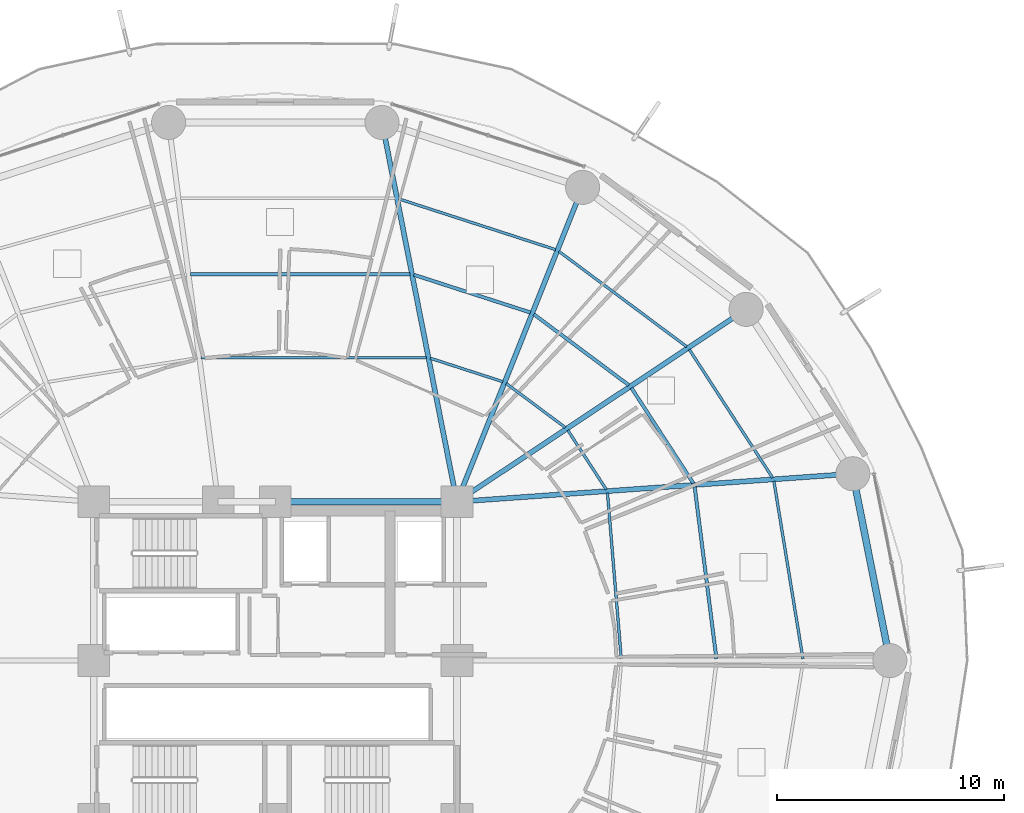
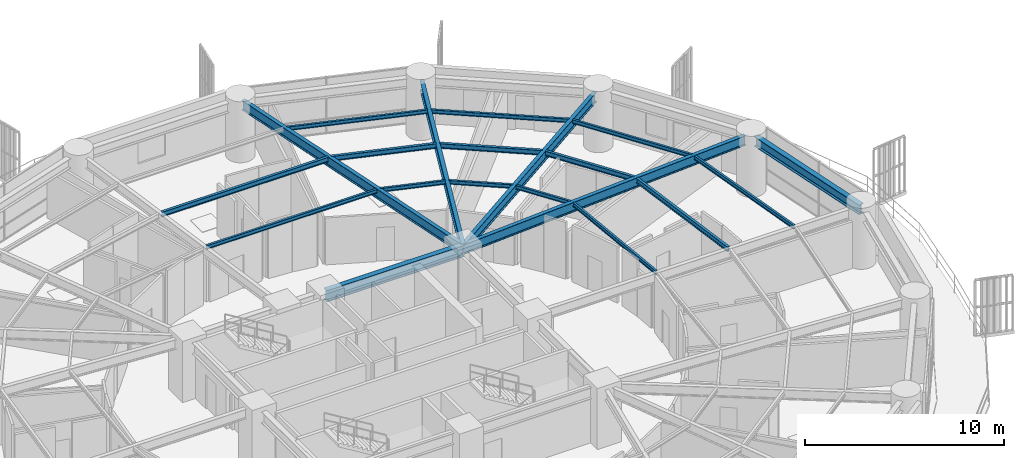
# One storey, part 19 of 34: 20 beams.
"""IFC4 building model written with IfcOpenShell, lengths in metres."""

from ifc_helpers import new_model, si_unit, direction, frame, origin, origin_2d, place, context, subcontext, project, spatial, i_section, extrude, material, material_profile, profile_set, type_object, element, save


model = new_model("IFC4")

# Units and contexts
model_context = context("Model", 3, precision=1e-05, world=origin(), true_north=direction((0.0, 1.0)))
body_context = subcontext(model_context, "Body", "Model", "MODEL_VIEW")
ifc_project = project(units=[si_unit("LENGTHUNIT", "METRE"), si_unit("AREAUNIT", "SQUARE_METRE"), si_unit("VOLUMEUNIT", "CUBIC_METRE"), si_unit("PLANEANGLEUNIT", "RADIAN"), si_unit("MASSUNIT", "GRAM", prefix="KILO")], contexts=[model_context])

# Site, building, storey
site_placement = place(None, origin())
site = spatial("IfcSite", under=ifc_project, at=site_placement, CompositionType="ELEMENT")
building_placement = place(site_placement, origin())
building = spatial("IfcBuilding", under=site, at=building_placement, Name="Kelanora Arch Commons", CompositionType="ELEMENT")
storey_placement = place(building_placement, frame((0.0, 0.0, 30.0)))
storey = spatial("IfcBuildingStorey", under=building, at=storey_placement, Name="L07", CompositionType="ELEMENT", Elevation=30.0)

# Beams
ifc_material = material(Name="Steel S355", Category="steel")
ifc_material_profile_1 = material_profile(ifc_material, i_section(OverallWidth=0.300048828125, OverallDepth=0.699951171875, WebThickness=0.01708984375, FlangeThickness=0.031982421875, FilletRadius=0.027099609375, at=origin_2d()), Name="HEB700")
ifc_profile_set_1 = profile_set([ifc_material_profile_1], Name="Steel S355")
beam_type_1 = type_object("IfcBeamType", Name="BM-CORE-HDR", PredefinedType="BEAM", material=ifc_profile_set_1)
beam_1_placement = place(storey_placement, frame((82.0, 65.0, 3.139892578125), z_axis=(-1.0, 0.0, 0.0), x_axis=(0.0, -1.0, 0.0)))
element("IfcBeam", 1, at=beam_1_placement, inside=storey, type_object=beam_type_1, Name="Core Header Beam 05 L07", PredefinedType="BEAM", context=body_context, shape_type="SweptSolid", body=[
    extrude(i_section(OverallWidth=0.300048828125, OverallDepth=0.699951171875, WebThickness=0.01708984375, FlangeThickness=0.031982421875, FilletRadius=0.027099609375, at=origin_2d()), origin(), (0.0, 0.0, 1.0), 8.0),
])
ifc_material_profile_2 = material_profile(ifc_material, i_section(OverallWidth=0.14990234375, OverallDepth=0.300048828125, WebThickness=0.007080078125, FlangeThickness=0.0107421875, FilletRadius=0.014892578125, at=origin_2d()), Name="IPE300")
ifc_profile_set_2 = profile_set([ifc_material_profile_2], Name="Steel S355")
beam_type_2 = type_object("IfcBeamType", Name="BM-JST-01", PredefinedType="JOIST", material=ifc_profile_set_2)
beam_2_placement = place(storey_placement, frame((93.437255859375, 58.084228515625, 3.340087890625), z_axis=(-0.125565841651, 0.992085288375, 0.0), x_axis=(-0.992085288375, -0.125565841651, 0.0)))
element("IfcBeam", 2, at=beam_2_placement, inside=storey, type_object=beam_type_2, Name="Secondary Chord Joist BJB-00 L07", PredefinedType="JOIST", context=body_context, shape_type="SweptSolid", body=[
    extrude(i_section(OverallWidth=0.14990234375, OverallDepth=0.300048828125, WebThickness=0.007080078125, FlangeThickness=0.0107421875, FilletRadius=0.014892578125, at=origin_2d()), origin(), (0.0, 0.0, 1.0), 7.63330078125),
])
beam_3_placement = place(storey_placement, frame((92.421875, 65.812744140625, 3.340087890625), z_axis=(-0.544551588245, 0.838727350061, 0.0), x_axis=(-0.838727350061, -0.544551588245, 0.0)))
element("IfcBeam", 3, at=beam_3_placement, inside=storey, type_object=beam_type_2, Name="Secondary Chord Joist BJB-02 L07", PredefinedType="JOIST", context=body_context, shape_type="SweptSolid", body=[
    extrude(i_section(OverallWidth=0.14990234375, OverallDepth=0.300048828125, WebThickness=0.007080078125, FlangeThickness=0.0107421875, FilletRadius=0.014892578125, at=origin_2d()), origin(), (0.0, 0.0, 1.0), 5.010986328125),
])
beam_4_placement = place(storey_placement, frame((89.57861328125, 70.1376953125, 3.340087890625), z_axis=(-0.801478251559, 0.598023922831, 0.0), x_axis=(-0.598023922831, -0.801478251559, 0.0)))
element("IfcBeam", 4, at=beam_4_placement, inside=storey, type_object=beam_type_2, Name="Secondary Chord Joist BJB-04 L07", PredefinedType="JOIST", context=body_context, shape_type="SweptSolid", body=[
    extrude(i_section(OverallWidth=0.14990234375, OverallDepth=0.300048828125, WebThickness=0.007080078125, FlangeThickness=0.0107421875, FilletRadius=0.014892578125, at=origin_2d()), origin(), (0.0, 0.0, 1.0), 5.223388671875),
])
beam_5_placement = place(storey_placement, frame((85.2431640625, 73.33837890625, 3.340087890625), z_axis=(-0.951412209627, 0.307920131482, 0.0), x_axis=(-0.307920131482, -0.951412209627, 0.0)))
element("IfcBeam", 5, at=beam_5_placement, inside=storey, type_object=beam_type_2, Name="Secondary Chord Joist BJB-06 L07", PredefinedType="JOIST", context=body_context, shape_type="SweptSolid", body=[
    extrude(i_section(OverallWidth=0.14990234375, OverallDepth=0.300048828125, WebThickness=0.007080078125, FlangeThickness=0.0107421875, FilletRadius=0.014892578125, at=origin_2d()), origin(), (0.0, 0.0, 1.0), 5.4033203125),
])
beam_6_placement = place(storey_placement, frame((79.936279296875, 75.028564453125, 3.340087890625), z_axis=(-1.0, 0.0, 0.0), x_axis=(0.0, -1.0, 0.0)))
element("IfcBeam", 6, at=beam_6_placement, inside=storey, type_object=beam_type_2, Name="Secondary Chord Joist BJB-08 L07", PredefinedType="JOIST", context=body_context, shape_type="SweptSolid", body=[
    extrude(i_section(OverallWidth=0.14990234375, OverallDepth=0.300048828125, WebThickness=0.007080078125, FlangeThickness=0.0107421875, FilletRadius=0.014892578125, at=origin_2d()), origin(), (0.0, 0.0, 1.0), 9.6806640625),
])
ifc_material_profile_3 = material_profile(ifc_material, i_section(OverallWidth=0.1201171875, OverallDepth=0.239990234375, WebThickness=0.006103515625, FlangeThickness=0.009765625, FilletRadius=0.014892578125, at=origin_2d()), Name="IPE240")
ifc_profile_set_3 = profile_set([ifc_material_profile_3], Name="Steel S355")
beam_type_3 = type_object("IfcBeamType", Name="BM-JST-02", PredefinedType="JOIST", material=ifc_profile_set_3)
beam_7_placement = place(storey_placement, frame((89.243408203125, 58.084716796875, 3.3701171875), z_axis=(-0.082786209886, 0.996567330115, 0.0), x_axis=(-0.996567330115, -0.082786209886, 0.0)))
element("IfcBeam", 7, at=beam_7_placement, inside=storey, type_object=beam_type_3, Name="Secondary Chord Joist BJA-00 L07", PredefinedType="JOIST", context=body_context, shape_type="SweptSolid", body=[
    extrude(i_section(OverallWidth=0.1201171875, OverallDepth=0.239990234375, WebThickness=0.006103515625, FlangeThickness=0.009765625, FilletRadius=0.014892578125, at=origin_2d()), origin(), (0.0, 0.0, 1.0), 7.325439453125),
])
beam_8_placement = place(storey_placement, frame((97.250244140625, 58.083984375, 3.3701171875), z_axis=(-0.161400737199, 0.986888951216, 0.0), x_axis=(-0.986888951216, -0.161400737199, 0.0)))
element("IfcBeam", 8, at=beam_8_placement, inside=storey, type_object=beam_type_3, Name="Secondary Chord Joist BJC-00 L07", PredefinedType="JOIST", context=body_context, shape_type="SweptSolid", body=[
    extrude(i_section(OverallWidth=0.1201171875, OverallDepth=0.239990234375, WebThickness=0.006103515625, FlangeThickness=0.009765625, FilletRadius=0.014892578125, at=origin_2d()), origin(), (0.0, 0.0, 1.0), 7.9248046875),
])
beam_9_placement = place(storey_placement, frame((88.58349609375, 65.541015625, 3.3701171875), z_axis=(-0.544591105858, 0.838701691557, 0.0), x_axis=(-0.838701691557, -0.544591105858, 0.0)))
element("IfcBeam", 9, at=beam_9_placement, inside=storey, type_object=beam_type_3, Name="Secondary Chord Joist BJA-02 L07", PredefinedType="JOIST", context=body_context, shape_type="SweptSolid", body=[
    extrude(i_section(OverallWidth=0.1201171875, OverallDepth=0.239990234375, WebThickness=0.006103515625, FlangeThickness=0.009765625, FilletRadius=0.014892578125, at=origin_2d()), origin(), (0.0, 0.0, 1.0), 3.111328125),
])
beam_10_placement = place(storey_placement, frame((95.9111328125, 66.059814453125, 3.3701171875), z_axis=(-0.544550165372, 0.838728273873, 0.0), x_axis=(-0.838728273873, -0.544550165372, 0.0)))
element("IfcBeam", 10, at=beam_10_placement, inside=storey, type_object=beam_type_3, Name="Secondary Chord Joist BJC-02 L07", PredefinedType="JOIST", context=body_context, shape_type="SweptSolid", body=[
    extrude(i_section(OverallWidth=0.1201171875, OverallDepth=0.239990234375, WebThickness=0.006103515625, FlangeThickness=0.009765625, FilletRadius=0.014892578125, at=origin_2d()), origin(), (0.0, 0.0, 1.0), 6.738037109375),
])
beam_11_placement = place(storey_placement, frame((86.77490234375, 68.272705078125, 3.3701171875), z_axis=(-0.801513822608, 0.59797624716, 0.0), x_axis=(-0.59797624716, -0.801513822608, 0.0)))
element("IfcBeam", 11, at=beam_11_placement, inside=storey, type_object=beam_type_3, Name="Secondary Chord Joist BJA-04 L07", PredefinedType="JOIST", context=body_context, shape_type="SweptSolid", body=[
    extrude(i_section(OverallWidth=0.1201171875, OverallDepth=0.239990234375, WebThickness=0.006103515625, FlangeThickness=0.009765625, FilletRadius=0.014892578125, at=origin_2d()), origin(), (0.0, 0.0, 1.0), 3.245849609375),
])
beam_12_placement = place(storey_placement, frame((92.12744140625, 71.83349609375, 3.3701171875), z_axis=(-0.80149131963, 0.598006408459, 0.0), x_axis=(-0.598006408459, -0.80149131963, 0.0)))
element("IfcBeam", 12, at=beam_12_placement, inside=storey, type_object=beam_type_3, Name="Secondary Chord Joist BJC-04 L07", PredefinedType="JOIST", context=body_context, shape_type="SweptSolid", body=[
    extrude(i_section(OverallWidth=0.1201171875, OverallDepth=0.239990234375, WebThickness=0.006103515625, FlangeThickness=0.009765625, FilletRadius=0.014892578125, at=origin_2d()), origin(), (0.0, 0.0, 1.0), 7.021240234375),
])
beam_13_placement = place(storey_placement, frame((84.0244140625, 70.290771484375, 3.3701171875), z_axis=(-0.951422608074, 0.30788800049, 0.0), x_axis=(-0.30788800049, -0.951422608074, 0.0)))
element("IfcBeam", 13, at=beam_13_placement, inside=storey, type_object=beam_type_3, Name="Secondary Chord Joist BJA-06 L07", PredefinedType="JOIST", context=body_context, shape_type="SweptSolid", body=[
    extrude(i_section(OverallWidth=0.1201171875, OverallDepth=0.239990234375, WebThickness=0.006103515625, FlangeThickness=0.009765625, FilletRadius=0.014892578125, at=origin_2d()), origin(), (0.0, 0.0, 1.0), 3.359619140625),
])
beam_14_placement = place(storey_placement, frame((86.35107421875, 76.109375, 3.3701171875), z_axis=(-0.951410915705, 0.307924129418, 0.0), x_axis=(-0.307924129418, -0.951410915705, 0.0)))
element("IfcBeam", 14, at=beam_14_placement, inside=storey, type_object=beam_type_3, Name="Secondary Chord Joist BJC-06 L07", PredefinedType="JOIST", context=body_context, shape_type="SweptSolid", body=[
    extrude(i_section(OverallWidth=0.1201171875, OverallDepth=0.239990234375, WebThickness=0.006103515625, FlangeThickness=0.009765625, FilletRadius=0.014892578125, at=origin_2d()), origin(), (0.0, 0.0, 1.0), 7.260986328125),
])
beam_15_placement = place(storey_placement, frame((80.661865234375, 71.351318359375, 3.3701171875), z_axis=(-1.0, 0.0, 0.0), x_axis=(0.0, -1.0, 0.0)))
element("IfcBeam", 15, at=beam_15_placement, inside=storey, type_object=beam_type_3, Name="Secondary Chord Joist BJA-08 L07", PredefinedType="JOIST", context=body_context, shape_type="SweptSolid", body=[
    extrude(i_section(OverallWidth=0.1201171875, OverallDepth=0.239990234375, WebThickness=0.006103515625, FlangeThickness=0.009765625, FilletRadius=0.014892578125, at=origin_2d()), origin(), (0.0, 0.0, 1.0), 9.92626953125),
])
ifc_material_profile_4 = material_profile(ifc_material, i_section(OverallWidth=0.219970703125, OverallDepth=0.60009765625, WebThickness=0.011962890625, FlangeThickness=0.01904296875, FilletRadius=0.02392578125, at=origin_2d()), Name="IPE600")
ifc_profile_set_4 = profile_set([ifc_material_profile_4], Name="Steel S355")
beam_type_4 = type_object("IfcBeamType", Name="BM-RAD-Z1", PredefinedType="BEAM", material=ifc_profile_set_4)
beam_16_placement = place(storey_placement, frame((82.0, 65.0, 3.18994140625), z_axis=(0.997500678462, 0.070656892572, 0.0), x_axis=(-0.070656892572, 0.997500678462, 0.0)))
element("IfcBeam", 16, at=beam_16_placement, inside=storey, type_object=beam_type_4, Name="Radial Floor Girder BR-02 L07", PredefinedType="BEAM", context=body_context, shape_type="SweptSolid", body=[
    extrude(i_section(OverallWidth=0.219970703125, OverallDepth=0.60009765625, WebThickness=0.011962890625, FlangeThickness=0.01904296875, FilletRadius=0.02392578125, at=origin_2d()), origin(), (0.0, 0.0, 1.0), 17.110595703125),
])
beam_17_placement = place(storey_placement, frame((82.0, 65.0, 3.18994140625), z_axis=(0.832590897434, 0.553888434173, 0.0), x_axis=(-0.553888434173, 0.832590897434, 0.0)))
element("IfcBeam", 17, at=beam_17_placement, inside=storey, type_object=beam_type_4, Name="Radial Floor Girder BR-04 L07", PredefinedType="BEAM", context=body_context, shape_type="SweptSolid", body=[
    extrude(i_section(OverallWidth=0.219970703125, OverallDepth=0.60009765625, WebThickness=0.011962890625, FlangeThickness=0.01904296875, FilletRadius=0.02392578125, at=origin_2d()), origin(), (0.0, 0.0, 1.0), 14.9267578125),
])
beam_18_placement = place(storey_placement, frame((82.0, 65.0, 3.18994140625), z_axis=(0.37129803903, 0.928513740454, 0.0), x_axis=(-0.928513740454, 0.37129803903, 0.0)))
element("IfcBeam", 18, at=beam_18_placement, inside=storey, type_object=beam_type_4, Name="Radial Floor Girder BR-06 L07", PredefinedType="BEAM", context=body_context, shape_type="SweptSolid", body=[
    extrude(i_section(OverallWidth=0.219970703125, OverallDepth=0.60009765625, WebThickness=0.011962890625, FlangeThickness=0.01904296875, FilletRadius=0.02392578125, at=origin_2d()), origin(), (0.0, 0.0, 1.0), 14.540771484375),
])
beam_19_placement = place(storey_placement, frame((82.0, 65.0, 3.18994140625), z_axis=(-0.193555256292, 0.981089375522, 0.0), x_axis=(-0.981089375522, -0.193555256292, 0.0)))
element("IfcBeam", 19, at=beam_19_placement, inside=storey, type_object=beam_type_4, Name="Radial Floor Girder BR-08 L07", PredefinedType="BEAM", context=body_context, shape_type="SweptSolid", body=[
    extrude(i_section(OverallWidth=0.219970703125, OverallDepth=0.60009765625, WebThickness=0.011962890625, FlangeThickness=0.01904296875, FilletRadius=0.02392578125, at=origin_2d()), origin(), (0.0, 0.0, 1.0), 16.81640625),
])
ifc_material_profile_5 = material_profile(ifc_material, i_section(OverallWidth=0.300048828125, OverallDepth=0.60009765625, WebThickness=0.015380859375, FlangeThickness=0.030029296875, FilletRadius=0.027099609375, at=origin_2d()), Name="HEB600")
ifc_profile_set_5 = profile_set([ifc_material_profile_5], Name="Steel S355")
beam_type_5 = type_object("IfcBeamType", Name="BM-SPN-Z1", PredefinedType="SPANDREL", material=ifc_profile_set_5)
beam_20_placement = place(storey_placement, frame((101.080078125, 58.0, 3.18994140625), z_axis=(-0.194522790633, 0.980897998736, 0.0), x_axis=(-0.980897998736, -0.194522790633, 0.0)))
element("IfcBeam", 20, at=beam_20_placement, inside=storey, type_object=beam_type_5, Name="Perimeter Spandrel Beam BS-00 L07", PredefinedType="SPANDREL", context=body_context, shape_type="SweptSolid", body=[
    extrude(i_section(OverallWidth=0.300048828125, OverallDepth=0.60009765625, WebThickness=0.015380859375, FlangeThickness=0.030029296875, FilletRadius=0.027099609375, at=origin_2d()), origin(), (0.0, 0.0, 1.0), 8.01611328125),
])

save(model, "model.ifc")
